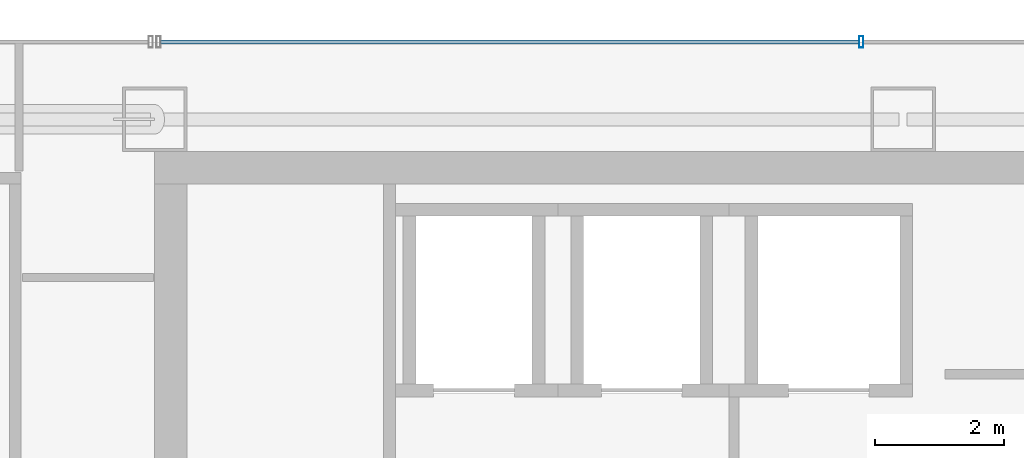
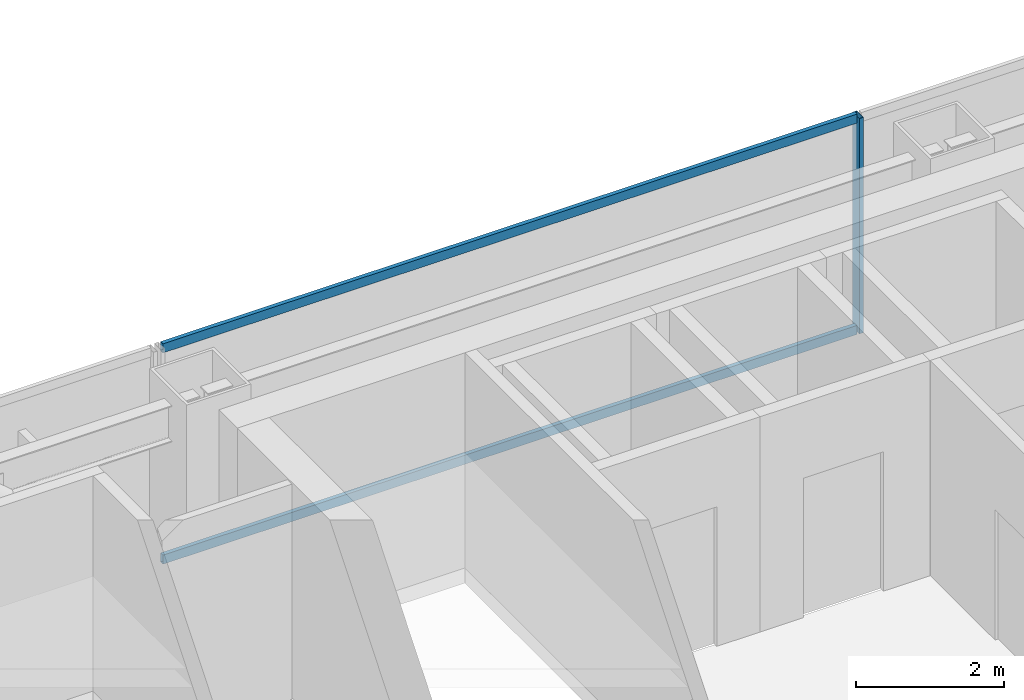
# One storey, part 23 of 36: 3 members, 1 element without a shape of its own.
"""IFC4 building model written with IfcOpenShell, lengths in metres."""

from ifc_helpers import new_model, si_unit, direction, frame, origin, origin_2d, place, context, subcontext, project, spatial, hollow_rectangle, extrude, material, material_profile, profile_set, type_object, element, aggregate, save


model = new_model("IFC4")

# Units and contexts
model_context = context("Model", 3, precision=1e-05, world=origin(), true_north=direction((0.0, 1.0)))
body_context = subcontext(model_context, "Body", "Model", "MODEL_VIEW")
ifc_project = project(units=[si_unit("LENGTHUNIT", "METRE"), si_unit("AREAUNIT", "SQUARE_METRE"), si_unit("VOLUMEUNIT", "CUBIC_METRE"), si_unit("PLANEANGLEUNIT", "RADIAN"), si_unit("MASSUNIT", "GRAM", prefix="KILO")], contexts=[model_context])

# Site, building, storey
site_placement = place(None, origin())
site = spatial("IfcSite", under=ifc_project, at=site_placement, CompositionType="ELEMENT")
building_placement = place(site_placement, origin())
building = spatial("IfcBuilding", under=site, at=building_placement, Name="Saevonmaru Cultural Tower", CompositionType="ELEMENT")
storey_placement = place(building_placement, frame((0.0, 0.0, 148.60009765625)))
storey = spatial("IfcBuildingStorey", under=building, at=storey_placement, Name="L32", CompositionType="ELEMENT", Elevation=148.60009765625)

# Curtain wall, members
ifc_material = material(Name="Satin Bronze Anodised Aluminium", Category="aluminium")
curtain_wall_type = type_object("IfcCurtainWallType", Name="CW-TYP-A", PredefinedType="NOTDEFINED", material=ifc_material)
curtain_wall_placement = place(storey_placement, origin())
curtain_wall = element("IfcCurtainWall", 1, at=curtain_wall_placement, inside=storey, type_object=curtain_wall_type, Name="L32 North Spine Unitised Curtain Wall E10B", PredefinedType="NOTDEFINED")
ifc_material_profile_1 = material_profile(ifc_material, hollow_rectangle(XDim=0.06494140625, YDim=0.179931640625, WallThickness=0.00390625, at=origin_2d()), Name="ALU-MULL-180x65x4")
ifc_profile_set_1 = profile_set([ifc_material_profile_1], Name="Satin Bronze Anodised Aluminium")
member_type_1 = type_object("IfcMemberType", Name="ML-CW-180x65", PredefinedType="MULLION", material=ifc_profile_set_1)
member_1_placement = place(storey_placement, frame((24.55322265625, 56.0, 0.0), z_axis=(0.0, 0.0, 1.0), x_axis=(-1.0, 0.0, 0.0)))
member_1 = element("IfcMember", 2, at=member_1_placement, type_object=member_type_1, Name="CW-TW-L32-E10B mullion 3", PredefinedType="MULLION", context=body_context, shape_type="SweptSolid", body=[
    extrude(hollow_rectangle(XDim=0.06494140625, YDim=0.179931640625, WallThickness=0.00390625, at=origin_2d()), origin(), (0.0, 0.0, 1.0), 3.5498046875),
])
ifc_material_profile_2 = material_profile(ifc_material, hollow_rectangle(XDim=0.06494140625, YDim=0.14990234375, WallThickness=0.00390625, at=origin_2d()), Name="ALU-TRAN-150x65x4")
ifc_profile_set_2 = profile_set([ifc_material_profile_2], Name="Satin Bronze Anodised Aluminium")
member_type_2 = type_object("IfcMemberType", Name="TR-CW-150x65", PredefinedType="USERDEFINED", material=ifc_profile_set_2)
member_2_placement = place(storey_placement, frame((24.520751953125, 56.0, 0.032470703125), z_axis=(-1.0, 0.0, 0.0), x_axis=(0.0, -1.0, 0.0)))
member_2 = element("IfcMember", 3, at=member_2_placement, type_object=member_type_2, Name="CW-TW-L32-E10B transom 3.1", ObjectType="TRANSOM", PredefinedType="USERDEFINED", context=body_context, shape_type="SweptSolid", body=[
    extrude(hollow_rectangle(XDim=0.06494140625, YDim=0.14990234375, WallThickness=0.00390625, at=origin_2d()), origin(), (0.0, 0.0, 1.0), 10.828369140625),
])
member_3_placement = place(storey_placement, frame((24.520751953125, 56.0, 3.517333984375), z_axis=(-1.0, 0.0, 0.0), x_axis=(0.0, -1.0, 0.0)))
member_3 = element("IfcMember", 4, at=member_3_placement, type_object=member_type_2, Name="CW-TW-L32-E10B transom 3.2", ObjectType="TRANSOM", PredefinedType="USERDEFINED", context=body_context, shape_type="SweptSolid", body=[
    extrude(hollow_rectangle(XDim=0.06494140625, YDim=0.14990234375, WallThickness=0.00390625, at=origin_2d()), origin(), (0.0, 0.0, 1.0), 10.828369140625),
])
aggregate(curtain_wall, [member_1, member_2, member_3])

save(model, "model.ifc")
